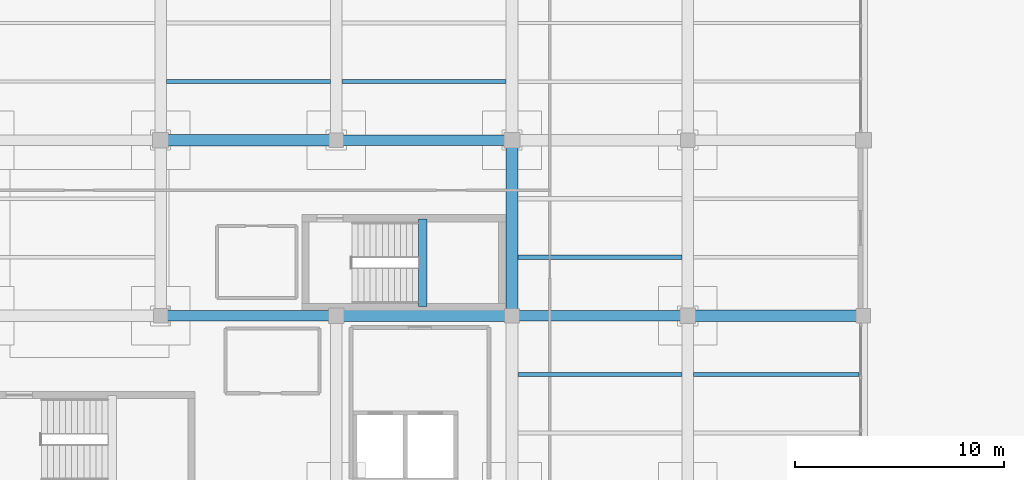
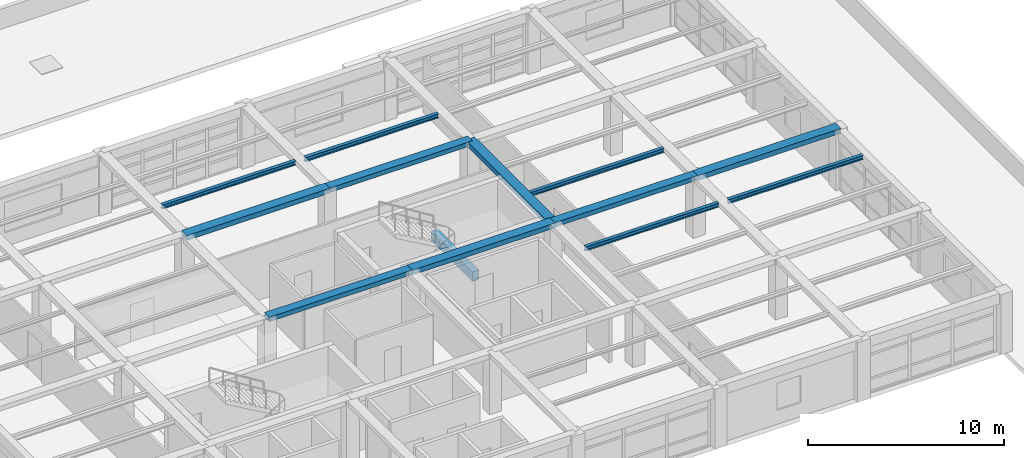
# One storey, part 19 of 35: 13 beams.
"""IFC4 building model written with IfcOpenShell, lengths in metres."""

from ifc_helpers import new_model, si_unit, direction, frame, origin, origin_2d, place, context, subcontext, project, spatial, rectangle, i_section, extrude, material, material_profile, profile_set, type_object, element, save


model = new_model("IFC4")

# Units and contexts
model_context = context("Model", 3, precision=1e-05, world=origin(), true_north=direction((0.0, 1.0)))
body_context = subcontext(model_context, "Body", "Model", "MODEL_VIEW")
ifc_project = project(units=[si_unit("LENGTHUNIT", "METRE"), si_unit("AREAUNIT", "SQUARE_METRE"), si_unit("VOLUMEUNIT", "CUBIC_METRE"), si_unit("PLANEANGLEUNIT", "RADIAN"), si_unit("MASSUNIT", "GRAM", prefix="KILO")], contexts=[model_context])

# Site, building, storey
site_placement = place(None, origin())
site = spatial("IfcSite", under=ifc_project, at=site_placement, CompositionType="ELEMENT")
building_placement = place(site_placement, origin())
building = spatial("IfcBuilding", under=site, at=building_placement, Name="Almacenes y Pasaje Nevantli", CompositionType="ELEMENT")
storey_placement = place(building_placement, frame((0.0, 0.0, 26.699951171875)))
storey = spatial("IfcBuildingStorey", under=building, at=storey_placement, Name="L06", CompositionType="ELEMENT", Elevation=26.699951171875)

# Beams
ifc_material_1 = material(Name="Concrete C35/45", Category="concrete")
ifc_material_profile_1 = material_profile(ifc_material_1, rectangle(XDim=0.39990234375, YDim=0.60009765625, at=origin_2d()), Name="RC-BM-400x600")
ifc_profile_set_1 = profile_set([ifc_material_profile_1], Name="Concrete C35/45")
beam_type_1 = type_object("IfcBeamType", Name="BM-RC-400x600", PredefinedType="SPANDREL", material=ifc_profile_set_1)
beam_1_placement = place(storey_placement, frame((138.5400390625, 84.449951171875, 1.5), z_axis=(0.0, 1.0, 0.0), x_axis=(-1.0, 0.0, 0.0)))
element("IfcBeam", 1, at=beam_1_placement, inside=storey, type_object=beam_type_1, Name="L06 Stair ST-02 Half-Landing Support Beam", PredefinedType="SPANDREL", context=body_context, shape_type="SweptSolid", body=[
    extrude(rectangle(XDim=0.39990234375, YDim=0.60009765625, at=origin_2d()), origin(), (0.0, 0.0, 1.0), 4.18994140625),
])
ifc_material_2 = material(Name="Concrete C35/45", Category="concrete")
ifc_material_profile_2 = material_profile(ifc_material_2, rectangle(XDim=0.5, YDim=0.280029296875, at=origin_2d()), Name="RC-BM-500x280")
ifc_profile_set_2 = profile_set([ifc_material_profile_2], Name="Concrete C35/45")
beam_type_2 = type_object("IfcBeamType", Name="BM-RC-500x280", PredefinedType="BEAM", material=ifc_profile_set_2)
for number, where, z_axis, x_axis, name in (
    (2, (126.0, 84.0, 3.580078125), (1.0, 0.0, 0.0), (0.0, 1.0, 0.0), "L06 East-West Reinforced Concrete Beam #3587"),
    (3, (142.800048828125, 84.0, 3.580078125), (1.0, 0.0, 0.0), (0.0, 1.0, 0.0), "L06 East-West Reinforced Concrete Beam #3589"),
):
    element("IfcBeam", number, at=place(storey_placement, frame(where, z_axis=z_axis, x_axis=x_axis)), inside=storey, type_object=beam_type_2, Name=name, PredefinedType="BEAM", context=body_context, shape_type="SweptSolid", body=[
        extrude(rectangle(XDim=0.5, YDim=0.280029296875, at=origin_2d()), origin(), (0.0, 0.0, 1.0), 8.39990234375),
    ])
beam_2_placement = place(storey_placement, frame((134.39990234375, 92.39990234375, 3.580078125), z_axis=(1.0, 0.0, 0.0), x_axis=(0.0, 1.0, 0.0)))
element("IfcBeam", 4, at=beam_2_placement, inside=storey, type_object=beam_type_2, Name="L06 East-West Reinforced Concrete Beam #3594", PredefinedType="BEAM", context=body_context, shape_type="SweptSolid", body=[
    extrude(rectangle(XDim=0.5, YDim=0.280029296875, at=origin_2d()), origin(), (0.0, 0.0, 1.0), 8.400146484375),
])
ifc_material_3 = material(Name="Concrete C35/45", Category="concrete")
ifc_material_profile_3 = material_profile(ifc_material_3, rectangle(XDim=0.550048828125, YDim=0.300048828125, at=origin_2d()), Name="RC-BM-550x300")
ifc_profile_set_3 = profile_set([ifc_material_profile_3], Name="Concrete C35/45")
beam_type_3 = type_object("IfcBeamType", Name="BM-RC-550x300", PredefinedType="BEAM", material=ifc_profile_set_3)
for number, where, z_axis, x_axis, name in (
    (5, (134.39990234375, 84.0, 3.570068359375), (1.0, 0.0, 0.0), (0.0, 1.0, 0.0), "L06 East-West Reinforced Concrete Beam #3588"),
    (6, (151.199951171875, 84.0, 3.570068359375), (1.0, 0.0, 0.0), (0.0, 1.0, 0.0), "L06 East-West Reinforced Concrete Beam #3590"),
):
    element("IfcBeam", number, at=place(storey_placement, frame(where, z_axis=z_axis, x_axis=x_axis)), inside=storey, type_object=beam_type_3, Name=name, PredefinedType="BEAM", context=body_context, shape_type="SweptSolid", body=[
        extrude(rectangle(XDim=0.550048828125, YDim=0.300048828125, at=origin_2d()), origin(), (0.0, 0.0, 1.0), 8.400146484375),
    ])
for number, where, z_axis, x_axis, name in (
    (7, (126.0, 92.39990234375, 3.570068359375), (1.0, 0.0, 0.0), (0.0, 1.0, 0.0), "L06 East-West Reinforced Concrete Beam #3593"),
    (8, (142.800048828125, 84.0, 3.570068359375), (0.0, 1.0, 0.0), (-1.0, 0.0, 0.0), "L06 North-South Reinforced Concrete Beam #3619"),
):
    element("IfcBeam", number, at=place(storey_placement, frame(where, z_axis=z_axis, x_axis=x_axis)), inside=storey, type_object=beam_type_3, Name=name, PredefinedType="BEAM", context=body_context, shape_type="SweptSolid", body=[
        extrude(rectangle(XDim=0.550048828125, YDim=0.300048828125, at=origin_2d()), origin(), (0.0, 0.0, 1.0), 8.39990234375),
    ])
ifc_material_4 = material(Name="Steel ASTM A992", Category="steel")
ifc_material_profile_4 = material_profile(ifc_material_4, i_section(OverallWidth=0.202880859375, OverallDepth=0.25390625, WebThickness=0.00732421875, FlangeThickness=0.010986328125, at=origin_2d()), Name="IR 254x49.1")
ifc_profile_set_4 = profile_set([ifc_material_profile_4], Name="Steel ASTM A992")
beam_type_4 = type_object("IfcBeamType", Name="BM-STL-IR-254x49p1", PredefinedType="JOIST", material=ifc_profile_set_4)
for number, where, z_axis, x_axis, name in (
    (9, (126.27490234375, 95.199951171875, 3.5849609375), (1.0, 0.0, 0.0), (0.0, 1.0, 0.0), "L06 Secondary Steel Floor Joist #1365"),
    (10, (143.074951171875, 81.199951171875, 3.5849609375), (1.0, 0.0, 0.0), (0.0, 1.0, 0.0), "L06 Secondary Steel Floor Joist #1374"),
):
    element("IfcBeam", number, at=place(storey_placement, frame(where, z_axis=z_axis, x_axis=x_axis)), inside=storey, type_object=beam_type_4, Name=name, PredefinedType="JOIST", context=body_context, shape_type="SweptSolid", body=[
        extrude(i_section(OverallWidth=0.202880859375, OverallDepth=0.25390625, WebThickness=0.00732421875, FlangeThickness=0.010986328125, at=origin_2d()), origin(), (0.0, 0.0, 1.0), 7.85009765625),
    ])
ifc_material_5 = material(Name="Steel ASTM A992", Category="steel")
ifc_material_profile_5 = material_profile(ifc_material_5, i_section(OverallWidth=0.2041015625, OverallDepth=0.258056640625, WebThickness=0.008056640625, FlangeThickness=0.013427734375, at=origin_2d()), Name="IR 254x58.0")
ifc_profile_set_5 = profile_set([ifc_material_profile_5], Name="Steel ASTM A992")
beam_type_5 = type_object("IfcBeamType", Name="BM-STL-IR-254x58p0", PredefinedType="JOIST", material=ifc_profile_set_5)
beam_3_placement = place(storey_placement, frame((134.675048828125, 95.199951171875, 3.5830078125), z_axis=(1.0, 0.0, 0.0), x_axis=(0.0, 1.0, 0.0)))
element("IfcBeam", 11, at=beam_3_placement, inside=storey, type_object=beam_type_5, Name="L06 Secondary Steel Floor Joist #1369", PredefinedType="JOIST", context=body_context, shape_type="SweptSolid", body=[
    extrude(i_section(OverallWidth=0.2041015625, OverallDepth=0.258056640625, WebThickness=0.008056640625, FlangeThickness=0.013427734375, at=origin_2d()), origin(), (0.0, 0.0, 1.0), 7.849853515625),
])
beam_4_placement = place(storey_placement, frame((143.074951171875, 86.800048828125, 3.5830078125), z_axis=(1.0, 0.0, 0.0), x_axis=(0.0, 1.0, 0.0)))
element("IfcBeam", 12, at=beam_4_placement, inside=storey, type_object=beam_type_5, Name="L06 Secondary Steel Floor Joist #1375", PredefinedType="JOIST", context=body_context, shape_type="SweptSolid", body=[
    extrude(i_section(OverallWidth=0.2041015625, OverallDepth=0.258056640625, WebThickness=0.008056640625, FlangeThickness=0.013427734375, at=origin_2d()), origin(), (0.0, 0.0, 1.0), 7.85009765625),
])
beam_5_placement = place(storey_placement, frame((151.47509765625, 81.199951171875, 3.5830078125), z_axis=(1.0, 0.0, 0.0), x_axis=(0.0, 1.0, 0.0)))
element("IfcBeam", 13, at=beam_5_placement, inside=storey, type_object=beam_type_5, Name="L06 Secondary Steel Floor Joist #1382", PredefinedType="JOIST", context=body_context, shape_type="SweptSolid", body=[
    extrude(i_section(OverallWidth=0.2041015625, OverallDepth=0.258056640625, WebThickness=0.008056640625, FlangeThickness=0.013427734375, at=origin_2d()), origin(), (0.0, 0.0, 1.0), 7.9248046875),
])

save(model, "model.ifc")
